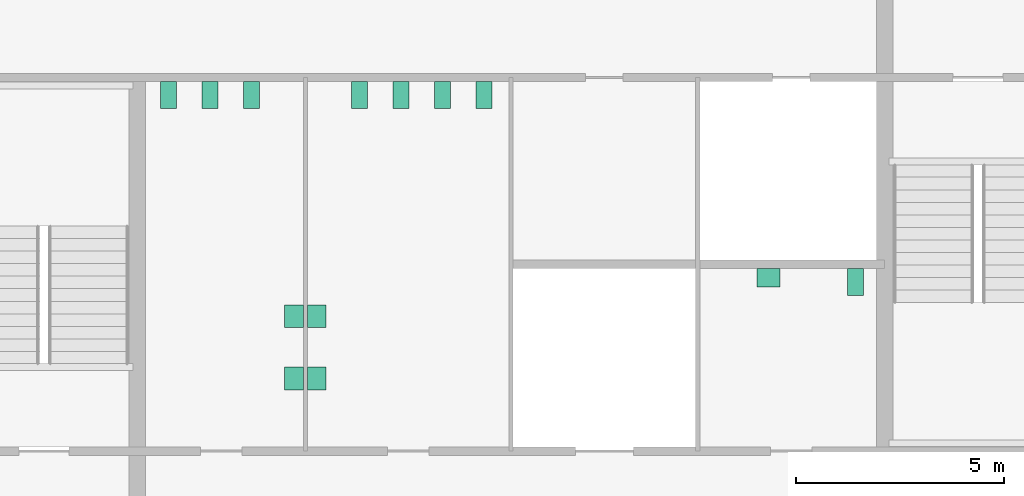
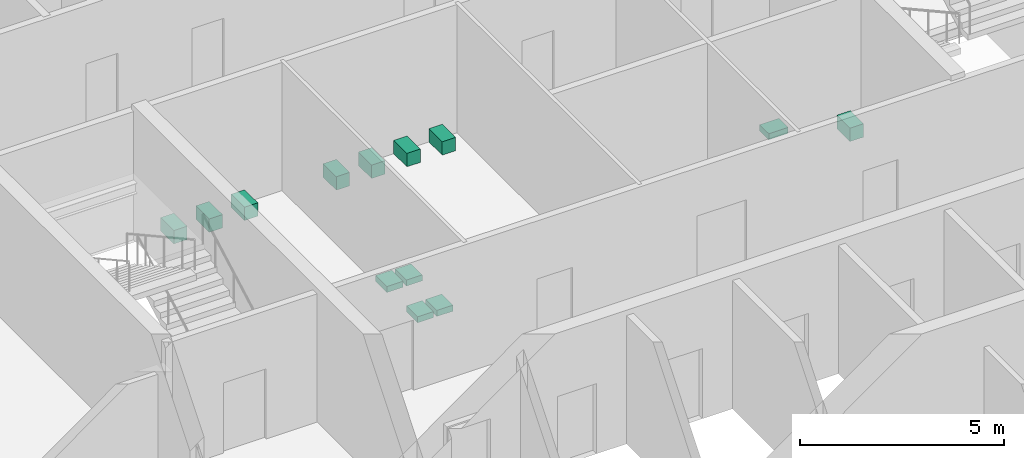
# One storey, part 14 of 14: 13 sanitary terminals.
"""IFC4 building model written with IfcOpenShell, lengths in metres."""

from ifc_helpers import new_model, si_unit, direction, frame, origin, origin_2d, place, context, subcontext, project, spatial, rectangle, extrude, material, type_object, element, save


model = new_model("IFC4")

# Units and contexts
model_context = context("Model", 3, precision=1e-05, world=origin(), true_north=direction((0.0, 1.0)))
body_context = subcontext(model_context, "Body", "Model", "MODEL_VIEW")
ifc_project = project(units=[si_unit("LENGTHUNIT", "METRE"), si_unit("AREAUNIT", "SQUARE_METRE"), si_unit("VOLUMEUNIT", "CUBIC_METRE"), si_unit("PLANEANGLEUNIT", "RADIAN"), si_unit("MASSUNIT", "GRAM", prefix="KILO")], contexts=[model_context])

# Site, building, storey
site_placement = place(None, origin())
site = spatial("IfcSite", under=ifc_project, at=site_placement, CompositionType="ELEMENT")
building_placement = place(site_placement, origin())
building = spatial("IfcBuilding", under=site, at=building_placement, Name="Corais Broadcast Tower", CompositionType="ELEMENT")
storey_placement = place(building_placement, frame((0.0, 0.0, 282.60009765625)))
storey = spatial("IfcBuildingStorey", under=building, at=storey_placement, Name="L66", CompositionType="ELEMENT", Elevation=282.60009765625)

# Sanitary terminals
ifc_material_1 = material(Name="Vitreous china", Category="ceramic")
sanitary_terminal_type_1 = type_object("IfcSanitaryTerminalType", Name="WC pan 380x650", PredefinedType="TOILETPAN", material=ifc_material_1)
for number, where, z_axis, x_axis, name in (
    (1, (18.75, 31.074951171875, 0.0), (0.0, 0.0, 1.0), (1.0, 0.0, 0.0), "SW1 WC pan, male toilets L66"),
    (2, (19.75, 31.074951171875, 0.0), (0.0, 0.0, 1.0), (1.0, 0.0, 0.0), "SW1 WC pan, male toilets L66"),
    (3, (20.75, 31.074951171875, 0.0), (0.0, 0.0, 1.0), (1.0, 0.0, 0.0), "SW1 WC pan, male toilets L66"),
    (4, (23.35009765625, 31.074951171875, 0.0), (0.0, 0.0, 1.0), (1.0, 0.0, 0.0), "SW1 WC pan, female toilets L66"),
    (5, (24.35009765625, 31.074951171875, 0.0), (0.0, 0.0, 1.0), (1.0, 0.0, 0.0), "SW1 WC pan, female toilets L66"),
    (6, (25.35009765625, 31.074951171875, 0.0), (0.0, 0.0, 1.0), (1.0, 0.0, 0.0), "SW1 WC pan, female toilets L66"),
    (7, (26.35009765625, 31.074951171875, 0.0), (0.0, 0.0, 1.0), (1.0, 0.0, 0.0), "SW1 WC pan, female toilets L66"),
    (8, (35.300048828125, 26.574951171875, 0.0), (0.0, 0.0, 1.0), (1.0, 0.0, 0.0), "SW1 WC pan, accessible WC L66"),
):
    element("IfcSanitaryTerminal", number, at=place(storey_placement, frame(where, z_axis=z_axis, x_axis=x_axis)), inside=storey, type_object=sanitary_terminal_type_1, Name=name, PredefinedType="TOILETPAN", context=body_context, shape_type="SweptSolid", body=[
        extrude(rectangle(XDim=0.3798828125, YDim=0.64990234375, at=origin_2d()), origin(), (0.0, 0.0, 1.0), 0.39990234375),
    ])
ifc_material_2 = material(Name="Vitreous china", Category="ceramic")
sanitary_terminal_type_2 = type_object("IfcSanitaryTerminalType", Name="Wash basin 550x450", PredefinedType="WASHHANDBASIN", material=ifc_material_2)
for number, where, z_axis, x_axis, name in (
    (9, (21.77490234375, 24.25, 0.69970703125), (0.0, 0.0, 1.0), (1.0, 0.0, 0.0), "WB1 wash basin, male toilets L66"),
    (10, (21.77490234375, 25.75, 0.69970703125), (0.0, 0.0, 1.0), (1.0, 0.0, 0.0), "WB1 wash basin, male toilets L66"),
    (11, (22.324951171875, 24.25, 0.69970703125), (0.0, 0.0, 1.0), (1.0, 0.0, 0.0), "WB1 wash basin, female toilets L66"),
    (12, (22.324951171875, 25.75, 0.69970703125), (0.0, 0.0, 1.0), (1.0, 0.0, 0.0), "WB1 wash basin, female toilets L66"),
):
    element("IfcSanitaryTerminal", number, at=place(storey_placement, frame(where, z_axis=z_axis, x_axis=x_axis)), inside=storey, type_object=sanitary_terminal_type_2, Name=name, PredefinedType="WASHHANDBASIN", context=body_context, shape_type="SweptSolid", body=[
        extrude(rectangle(XDim=0.449951171875, YDim=0.550048828125, at=origin_2d()), origin(), (0.0, 0.0, 1.0), 0.179931640625),
    ])
sanitary_terminal_placement = place(storey_placement, frame((33.199951171875, 26.675048828125, 0.69970703125), z_axis=(0.0, 0.0, 1.0), x_axis=(1.0, 0.0, 0.0)))
element("IfcSanitaryTerminal", 13, at=sanitary_terminal_placement, inside=storey, type_object=sanitary_terminal_type_2, Name="WB1 wash basin, accessible WC L66", PredefinedType="WASHHANDBASIN", context=body_context, shape_type="SweptSolid", body=[
    extrude(rectangle(XDim=0.550048828125, YDim=0.449951171875, at=origin_2d()), origin(), (0.0, 0.0, 1.0), 0.179931640625),
])

save(model, "model.ifc")
